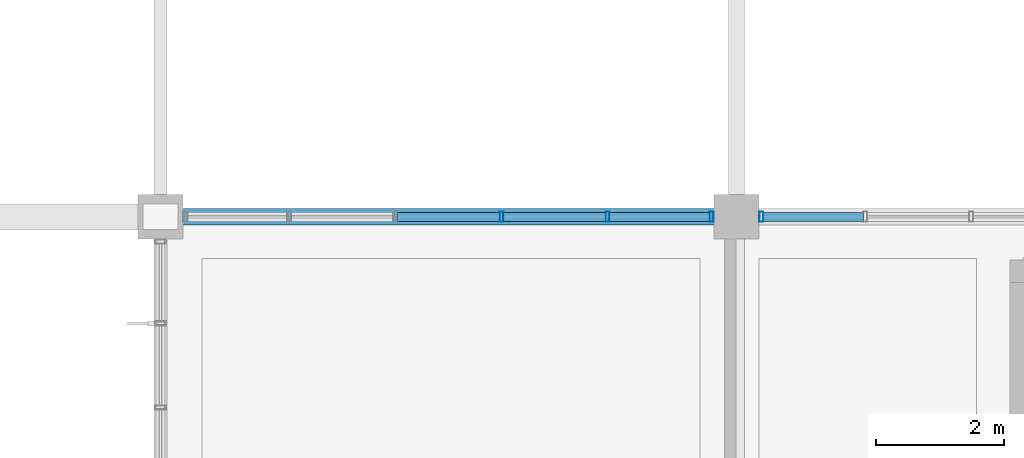
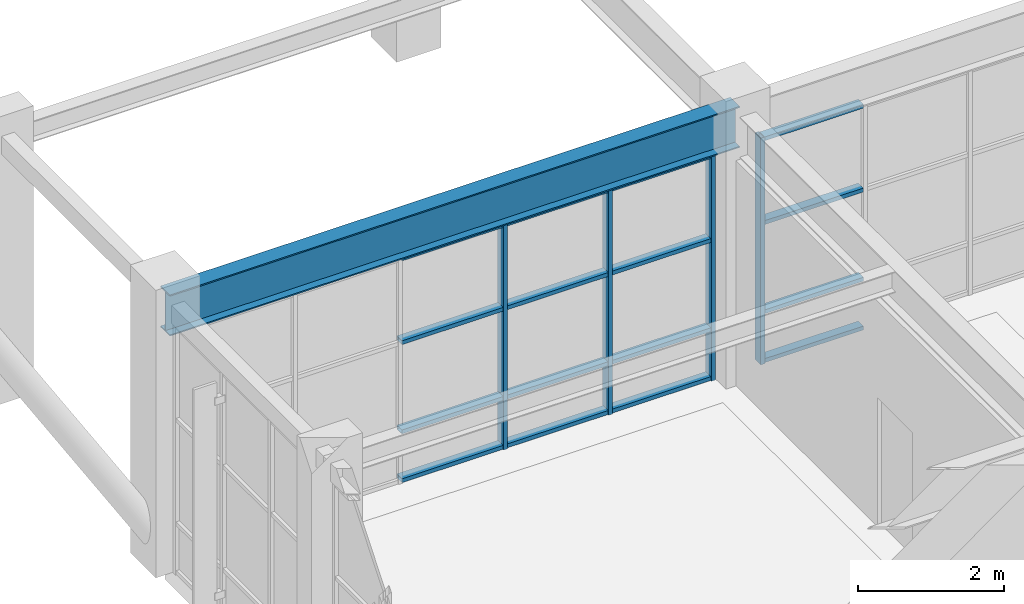
# One storey, part 28 of 104: 20 members, 1 beam, 2 elements without a shape of their own.
"""IFC4 building model written with IfcOpenShell, lengths in metres."""

from ifc_helpers import new_model, si_unit, direction, frame, origin, origin_2d, place, context, subcontext, project, spatial, hollow_rectangle, i_section, extrude, material, layer, layer_set, material_profile, profile_set, type_object, element, aggregate, save


model = new_model("IFC4")

# Units and contexts
model_context = context("Model", 3, precision=1e-05, world=origin(), true_north=direction((0.0, 1.0)))
body_context = subcontext(model_context, "Body", "Model", "MODEL_VIEW")
ifc_project = project(units=[si_unit("LENGTHUNIT", "METRE"), si_unit("AREAUNIT", "SQUARE_METRE"), si_unit("VOLUMEUNIT", "CUBIC_METRE"), si_unit("PLANEANGLEUNIT", "RADIAN"), si_unit("MASSUNIT", "GRAM", prefix="KILO")], contexts=[model_context])

# Site, building, storey
site_placement = place(None, origin())
site = spatial("IfcSite", under=ifc_project, at=site_placement, CompositionType="ELEMENT")
building_placement = place(site_placement, origin())
building = spatial("IfcBuilding", under=site, at=building_placement, Name="Ventoquebrada Cableway Terminal", CompositionType="ELEMENT")
storey_placement = place(building_placement, frame((0.0, 0.0, 4.800048828125)))
storey = spatial("IfcBuildingStorey", under=building, at=storey_placement, Name="L01", CompositionType="ELEMENT", Elevation=4.800048828125)

# Beam
ifc_material_1 = material(Name="Steel ASTM A992 Grade 50", Category="steel")
ifc_material_profile_1 = material_profile(ifc_material_1, i_section(OverallWidth=0.25390625, OverallDepth=0.68798828125, WebThickness=0.01318359375, FlangeThickness=0.02099609375, at=origin_2d()), Name="W27X102")
ifc_profile_set_1 = profile_set([ifc_material_profile_1], Name="Steel ASTM A992 Grade 50")
beam_type = type_object("IfcBeamType", Name="BM-ST04", PredefinedType="BEAM", material=ifc_profile_set_1)
beam_placement = place(storey_placement, frame((8.199951171875, 95.0, 4.120849609375), z_axis=(1.0, 0.0, 0.0), x_axis=(0.0, 1.0, 0.0)))
element("IfcBeam", 1, at=beam_placement, inside=storey, type_object=beam_type, Name="Primary frame girder FBM-0392", PredefinedType="BEAM", context=body_context, shape_type="SweptSolid", body=[
    extrude(i_section(OverallWidth=0.25390625, OverallDepth=0.68798828125, WebThickness=0.01318359375, FlangeThickness=0.02099609375, at=origin_2d()), origin(), (0.0, 0.0, 1.0), 9.0),
])

# Curtain wall, members
ifc_material_2 = material(Name="Anodized thermally-broken aluminium", Category="aluminium")
ifc_layer = layer(ifc_material_2, 0.159912109375)
ifc_layer_set = layer_set([ifc_layer], Name="Anodized thermally-broken aluminium")
curtain_wall_type = type_object("IfcCurtainWallType", Name="CW-T14", PredefinedType="USERDEFINED", material=ifc_layer_set)
curtain_wall_1_placement = place(storey_placement, origin())
curtain_wall_1 = element("IfcCurtainWall", 2, at=curtain_wall_1_placement, inside=storey, type_object=curtain_wall_type, Name="Unitised glazed curtain wall CW-030", ObjectType="UNITISED CURTAIN WALL", PredefinedType="USERDEFINED")
ifc_material_profile_2 = material_profile(ifc_material_2, hollow_rectangle(XDim=0.06494140625, YDim=0.159912109375, WallThickness=0.00390625, at=origin_2d()), Name="CW-MUL-65X160")
ifc_profile_set_2 = profile_set([ifc_material_profile_2], Name="Anodized thermally-broken aluminium")
member_type_1 = type_object("IfcMemberType", Name="CWM-01", PredefinedType="MULLION", material=ifc_profile_set_2)
member_1_placement = place(storey_placement, frame((16.81005859375, 95.0, -0.008056640625), z_axis=(0.0, 0.0, 1.0), x_axis=(-1.0, 0.0, 0.0)))
member_1 = element("IfcMember", 3, at=member_1_placement, type_object=member_type_1, Name="Curtain wall mullion FML-0133", PredefinedType="MULLION", context=body_context, shape_type="SweptSolid", body=[
    extrude(hollow_rectangle(XDim=0.06494140625, YDim=0.159912109375, WallThickness=0.00390625, at=origin_2d()), origin(), (0.0, 0.0, 1.0), 3.784912109375),
])
member_2_placement = place(storey_placement, frame((15.18701171875, 95.0, -0.008056640625), z_axis=(0.0, 0.0, 1.0), x_axis=(-1.0, 0.0, 0.0)))
member_2 = element("IfcMember", 4, at=member_2_placement, type_object=member_type_1, Name="Curtain wall mullion FML-0134", PredefinedType="MULLION", context=body_context, shape_type="SweptSolid", body=[
    extrude(hollow_rectangle(XDim=0.06494140625, YDim=0.159912109375, WallThickness=0.00390625, at=origin_2d()), origin(), (0.0, 0.0, 1.0), 3.784912109375),
])
member_3_placement = place(storey_placement, frame((13.529052734375, 95.0, -0.008056640625), z_axis=(0.0, 0.0, 1.0), x_axis=(-1.0, 0.0, 0.0)))
member_3 = element("IfcMember", 5, at=member_3_placement, type_object=member_type_1, Name="Curtain wall mullion FML-0135", PredefinedType="MULLION", context=body_context, shape_type="SweptSolid", body=[
    extrude(hollow_rectangle(XDim=0.06494140625, YDim=0.159912109375, WallThickness=0.00390625, at=origin_2d()), origin(), (0.0, 0.0, 1.0), 3.784912109375),
])

# Curtain wall, member
curtain_wall_2_placement = place(storey_placement, origin())
curtain_wall_2 = element("IfcCurtainWall", 6, at=curtain_wall_2_placement, inside=storey, type_object=curtain_wall_type, Name="Unitised glazed curtain wall CW-031", ObjectType="UNITISED CURTAIN WALL", PredefinedType="USERDEFINED")
member_4_placement = place(storey_placement, frame((17.590087890625, 95.0, -0.008056640625), z_axis=(0.0, 0.0, 1.0), x_axis=(-1.0, 0.0, 0.0)))
member_4 = element("IfcMember", 7, at=member_4_placement, type_object=member_type_1, Name="Curtain wall mullion FML-0144", PredefinedType="MULLION", context=body_context, shape_type="SweptSolid", body=[
    extrude(hollow_rectangle(XDim=0.06494140625, YDim=0.159912109375, WallThickness=0.00390625, at=origin_2d()), origin(), (0.0, 0.0, 1.0), 3.784912109375),
])

# Member
ifc_material_profile_3 = material_profile(ifc_material_2, hollow_rectangle(XDim=0.06494140625, YDim=0.139892578125, WallThickness=0.00390625, at=origin_2d()), Name="CW-TRN-65X140")
ifc_profile_set_3 = profile_set([ifc_material_profile_3], Name="Anodized thermally-broken aluminium")
member_type_2 = type_object("IfcMemberType", Name="CWT-01", PredefinedType="USERDEFINED", material=ifc_profile_set_3)
member_5_placement = place(storey_placement, frame((16.781982421875, 95.0, 0.034912109375), z_axis=(-1.0, 0.0, 0.0), x_axis=(0.0, 0.0, 1.0)))
member_5 = element("IfcMember", 8, at=member_5_placement, type_object=member_type_2, Name="Curtain wall transom FTR-0391", ObjectType="TRANSOM", PredefinedType="USERDEFINED", context=body_context, shape_type="SweptSolid", body=[
    extrude(hollow_rectangle(XDim=0.06494140625, YDim=0.139892578125, WallThickness=0.00390625, at=origin_2d()), origin(), (0.0, 0.0, 1.0), 1.56787109375),
])

member_6_placement = place(storey_placement, frame((16.781982421875, 95.0, 0.849853515625), z_axis=(-1.0, 0.0, 0.0), x_axis=(0.0, 0.0, 1.0)))
member_6 = element("IfcMember", 9, at=member_6_placement, type_object=member_type_2, Name="Curtain wall transom FTR-0392", ObjectType="TRANSOM", PredefinedType="USERDEFINED", context=body_context, shape_type="SweptSolid", body=[
    extrude(hollow_rectangle(XDim=0.06494140625, YDim=0.139892578125, WallThickness=0.00390625, at=origin_2d()), origin(), (0.0, 0.0, 1.0), 1.56787109375),
])

member_7_placement = place(storey_placement, frame((16.781982421875, 95.0, 2.3388671875), z_axis=(-1.0, 0.0, 0.0), x_axis=(0.0, 0.0, 1.0)))
member_7 = element("IfcMember", 10, at=member_7_placement, type_object=member_type_2, Name="Curtain wall transom FTR-0393", ObjectType="TRANSOM", PredefinedType="USERDEFINED", context=body_context, shape_type="SweptSolid", body=[
    extrude(hollow_rectangle(XDim=0.06494140625, YDim=0.139892578125, WallThickness=0.00390625, at=origin_2d()), origin(), (0.0, 0.0, 1.0), 1.56787109375),
])

member_8_placement = place(storey_placement, frame((16.781982421875, 95.0, 3.737060546875), z_axis=(-1.0, 0.0, 0.0), x_axis=(0.0, 0.0, 1.0)))
member_8 = element("IfcMember", 11, at=member_8_placement, type_object=member_type_2, Name="Curtain wall transom FTR-0394", ObjectType="TRANSOM", PredefinedType="USERDEFINED", context=body_context, shape_type="SweptSolid", body=[
    extrude(hollow_rectangle(XDim=0.06494140625, YDim=0.139892578125, WallThickness=0.00390625, at=origin_2d()), origin(), (0.0, 0.0, 1.0), 1.56787109375),
])

member_9_placement = place(storey_placement, frame((15.158935546875, 95.0, 0.034912109375), z_axis=(-1.0, 0.0, 0.0), x_axis=(0.0, 0.0, 1.0)))
member_9 = element("IfcMember", 12, at=member_9_placement, type_object=member_type_2, Name="Curtain wall transom FTR-0395", ObjectType="TRANSOM", PredefinedType="USERDEFINED", context=body_context, shape_type="SweptSolid", body=[
    extrude(hollow_rectangle(XDim=0.06494140625, YDim=0.139892578125, WallThickness=0.00390625, at=origin_2d()), origin(), (0.0, 0.0, 1.0), 1.60302734375),
])

member_10_placement = place(storey_placement, frame((15.158935546875, 95.0, 0.849853515625), z_axis=(-1.0, 0.0, 0.0), x_axis=(0.0, 0.0, 1.0)))
member_10 = element("IfcMember", 13, at=member_10_placement, type_object=member_type_2, Name="Curtain wall transom FTR-0396", ObjectType="TRANSOM", PredefinedType="USERDEFINED", context=body_context, shape_type="SweptSolid", body=[
    extrude(hollow_rectangle(XDim=0.06494140625, YDim=0.139892578125, WallThickness=0.00390625, at=origin_2d()), origin(), (0.0, 0.0, 1.0), 1.60302734375),
])

member_11_placement = place(storey_placement, frame((15.158935546875, 95.0, 2.3388671875), z_axis=(-1.0, 0.0, 0.0), x_axis=(0.0, 0.0, 1.0)))
member_11 = element("IfcMember", 14, at=member_11_placement, type_object=member_type_2, Name="Curtain wall transom FTR-0397", ObjectType="TRANSOM", PredefinedType="USERDEFINED", context=body_context, shape_type="SweptSolid", body=[
    extrude(hollow_rectangle(XDim=0.06494140625, YDim=0.139892578125, WallThickness=0.00390625, at=origin_2d()), origin(), (0.0, 0.0, 1.0), 1.60302734375),
])

member_12_placement = place(storey_placement, frame((15.158935546875, 95.0, 3.737060546875), z_axis=(-1.0, 0.0, 0.0), x_axis=(0.0, 0.0, 1.0)))
member_12 = element("IfcMember", 15, at=member_12_placement, type_object=member_type_2, Name="Curtain wall transom FTR-0398", ObjectType="TRANSOM", PredefinedType="USERDEFINED", context=body_context, shape_type="SweptSolid", body=[
    extrude(hollow_rectangle(XDim=0.06494140625, YDim=0.139892578125, WallThickness=0.00390625, at=origin_2d()), origin(), (0.0, 0.0, 1.0), 1.60302734375),
])

member_13_placement = place(storey_placement, frame((13.5009765625, 95.0, 0.034912109375), z_axis=(-1.0, 0.0, 0.0), x_axis=(0.0, 0.0, 1.0)))
member_13 = element("IfcMember", 16, at=member_13_placement, type_object=member_type_2, Name="Curtain wall transom FTR-0399", ObjectType="TRANSOM", PredefinedType="USERDEFINED", context=body_context, shape_type="SweptSolid", body=[
    extrude(hollow_rectangle(XDim=0.06494140625, YDim=0.139892578125, WallThickness=0.00390625, at=origin_2d()), origin(), (0.0, 0.0, 1.0), 1.60302734375),
])

member_14_placement = place(storey_placement, frame((13.5009765625, 95.0, 0.849853515625), z_axis=(-1.0, 0.0, 0.0), x_axis=(0.0, 0.0, 1.0)))
member_14 = element("IfcMember", 17, at=member_14_placement, type_object=member_type_2, Name="Curtain wall transom FTR-0400", ObjectType="TRANSOM", PredefinedType="USERDEFINED", context=body_context, shape_type="SweptSolid", body=[
    extrude(hollow_rectangle(XDim=0.06494140625, YDim=0.139892578125, WallThickness=0.00390625, at=origin_2d()), origin(), (0.0, 0.0, 1.0), 1.60302734375),
])

member_15_placement = place(storey_placement, frame((13.5009765625, 95.0, 2.3388671875), z_axis=(-1.0, 0.0, 0.0), x_axis=(0.0, 0.0, 1.0)))
member_15 = element("IfcMember", 18, at=member_15_placement, type_object=member_type_2, Name="Curtain wall transom FTR-0401", ObjectType="TRANSOM", PredefinedType="USERDEFINED", context=body_context, shape_type="SweptSolid", body=[
    extrude(hollow_rectangle(XDim=0.06494140625, YDim=0.139892578125, WallThickness=0.00390625, at=origin_2d()), origin(), (0.0, 0.0, 1.0), 1.60302734375),
])

member_16_placement = place(storey_placement, frame((13.5009765625, 95.0, 3.737060546875), z_axis=(-1.0, 0.0, 0.0), x_axis=(0.0, 0.0, 1.0)))
member_16 = element("IfcMember", 19, at=member_16_placement, type_object=member_type_2, Name="Curtain wall transom FTR-0402", ObjectType="TRANSOM", PredefinedType="USERDEFINED", context=body_context, shape_type="SweptSolid", body=[
    extrude(hollow_rectangle(XDim=0.06494140625, YDim=0.139892578125, WallThickness=0.00390625, at=origin_2d()), origin(), (0.0, 0.0, 1.0), 1.60302734375),
])

aggregate(curtain_wall_1, [member_1, member_2, member_3, member_5, member_6, member_7, member_8, member_9, member_10, member_11, member_12, member_13, member_14, member_15, member_16])

member_17_placement = place(storey_placement, frame((19.18505859375, 95.0, 0.034912109375), z_axis=(-1.0, 0.0, 0.0), x_axis=(0.0, 0.0, 1.0)))
member_17 = element("IfcMember", 20, at=member_17_placement, type_object=member_type_2, Name="Curtain wall transom FTR-0427", ObjectType="TRANSOM", PredefinedType="USERDEFINED", context=body_context, shape_type="SweptSolid", body=[
    extrude(hollow_rectangle(XDim=0.06494140625, YDim=0.139892578125, WallThickness=0.00390625, at=origin_2d()), origin(), (0.0, 0.0, 1.0), 1.568115234375),
])

member_18_placement = place(storey_placement, frame((19.18505859375, 95.0, 0.849853515625), z_axis=(-1.0, 0.0, 0.0), x_axis=(0.0, 0.0, 1.0)))
member_18 = element("IfcMember", 21, at=member_18_placement, type_object=member_type_2, Name="Curtain wall transom FTR-0428", ObjectType="TRANSOM", PredefinedType="USERDEFINED", context=body_context, shape_type="SweptSolid", body=[
    extrude(hollow_rectangle(XDim=0.06494140625, YDim=0.139892578125, WallThickness=0.00390625, at=origin_2d()), origin(), (0.0, 0.0, 1.0), 1.568115234375),
])

member_19_placement = place(storey_placement, frame((19.18505859375, 95.0, 2.3388671875), z_axis=(-1.0, 0.0, 0.0), x_axis=(0.0, 0.0, 1.0)))
member_19 = element("IfcMember", 22, at=member_19_placement, type_object=member_type_2, Name="Curtain wall transom FTR-0429", ObjectType="TRANSOM", PredefinedType="USERDEFINED", context=body_context, shape_type="SweptSolid", body=[
    extrude(hollow_rectangle(XDim=0.06494140625, YDim=0.139892578125, WallThickness=0.00390625, at=origin_2d()), origin(), (0.0, 0.0, 1.0), 1.568115234375),
])

member_20_placement = place(storey_placement, frame((19.18505859375, 95.0, 3.737060546875), z_axis=(-1.0, 0.0, 0.0), x_axis=(0.0, 0.0, 1.0)))
member_20 = element("IfcMember", 23, at=member_20_placement, type_object=member_type_2, Name="Curtain wall transom FTR-0430", ObjectType="TRANSOM", PredefinedType="USERDEFINED", context=body_context, shape_type="SweptSolid", body=[
    extrude(hollow_rectangle(XDim=0.06494140625, YDim=0.139892578125, WallThickness=0.00390625, at=origin_2d()), origin(), (0.0, 0.0, 1.0), 1.568115234375),
])

aggregate(curtain_wall_2, [member_4, member_17, member_18, member_19, member_20])

save(model, "model.ifc")
